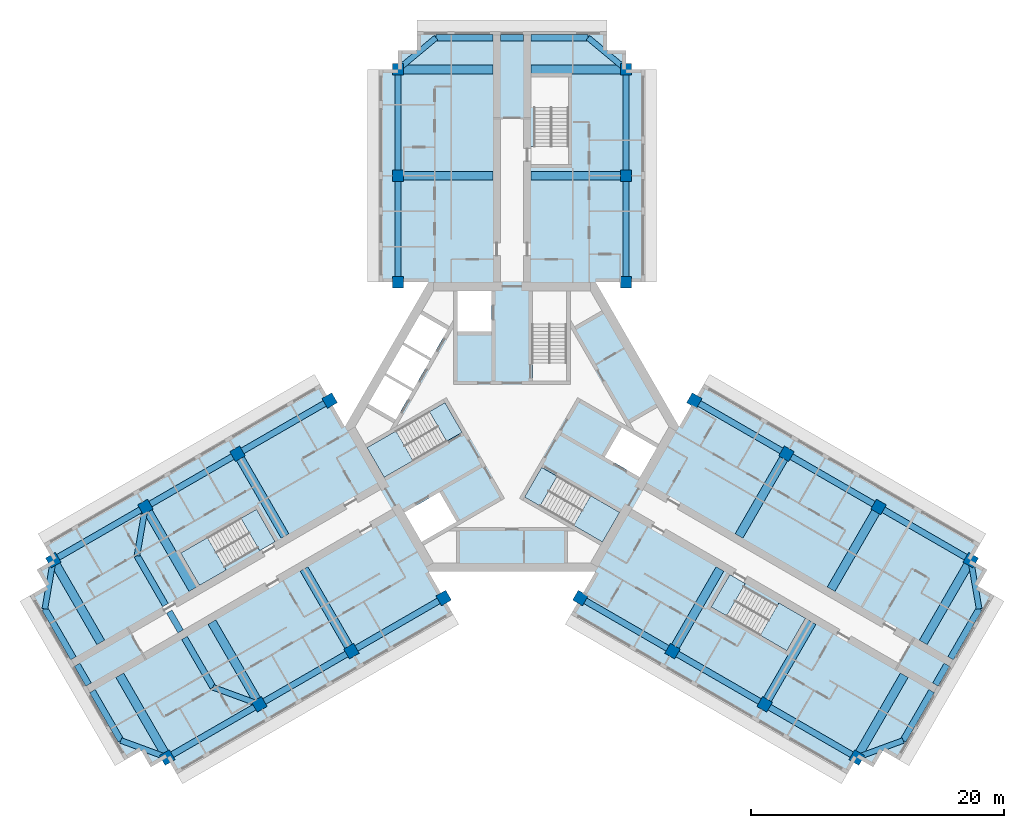
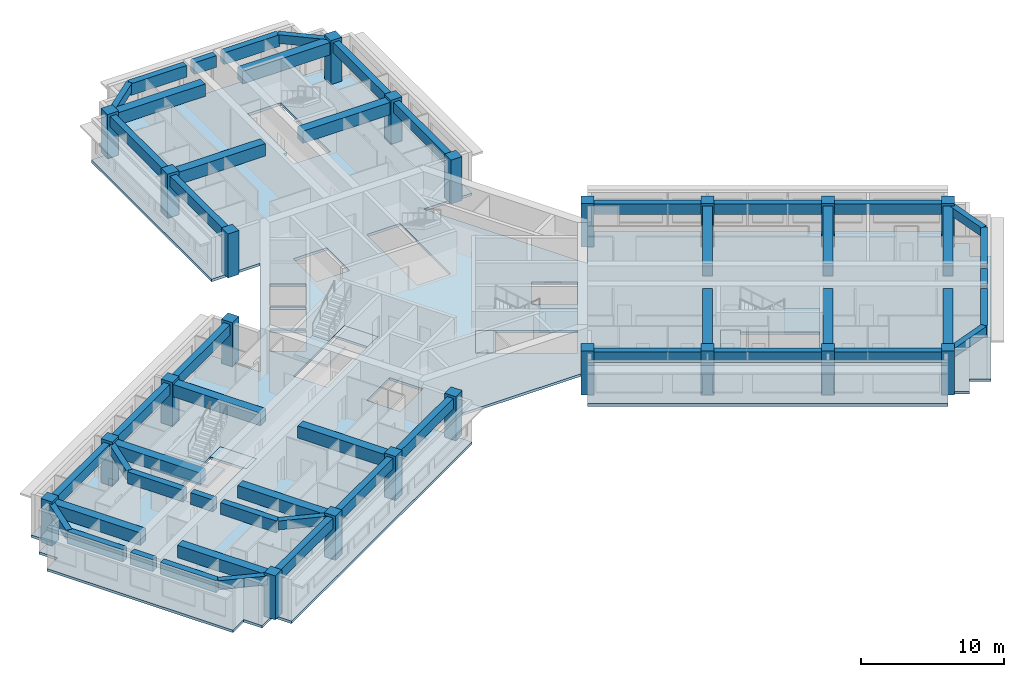
# One storey, part 1 of 12: 52 beams, 22 columns, 9 slabs, 4 elements without a shape of their own.
"""IFC4 building model written with IfcOpenShell, lengths in metres."""

from ifc_helpers import new_model, si_unit, direction, frame, origin, origin_2d, place, context, subcontext, project, spatial, polyline, rectangle, outline, extrude, material, layer, layer_set, material_profile, profile_set, type_object, element, aggregate, save


model = new_model("IFC4")

# Units and contexts
model_context = context("Model", 3, precision=1e-05, world=origin(), true_north=direction((0.0, 1.0)))
body_context = subcontext(model_context, "Body", "Model", "MODEL_VIEW")
ifc_project = project(units=[si_unit("LENGTHUNIT", "METRE"), si_unit("AREAUNIT", "SQUARE_METRE"), si_unit("VOLUMEUNIT", "CUBIC_METRE"), si_unit("PLANEANGLEUNIT", "RADIAN"), si_unit("MASSUNIT", "GRAM", prefix="KILO")], contexts=[model_context])

# Site, building, storey
site_placement = place(None, origin())
site = spatial("IfcSite", under=ifc_project, at=site_placement, CompositionType="ELEMENT")
building_placement = place(site_placement, origin())
building = spatial("IfcBuilding", under=site, at=building_placement, Name="Impinga Residences", CompositionType="ELEMENT")
storey_placement = place(building_placement, frame((0.0, 0.0, 214.75)))
storey = spatial("IfcBuildingStorey", under=building, at=storey_placement, Name="L53", CompositionType="ELEMENT", Elevation=214.75)

# Columns
ifc_material_1 = material(Name="Concrete C60/75", Category="concrete")
ifc_material_profile_1 = material_profile(ifc_material_1, rectangle(XDim=0.89990234375, YDim=0.89990234375, at=origin_2d()), Name="RC 900x900")
ifc_profile_set_1 = profile_set([ifc_material_profile_1], Name="Concrete C60/75")
column_type = type_object("IfcColumnType", Name="C4 900x900 column", PredefinedType="COLUMN", material=ifc_profile_set_1)
for number, where, z_axis, x_axis, name in (
    (1, (-9.0, 11.431640625, 0.0), (0.0, 0.0, 1.0), (1.0, 0.0, 0.0), "Column C4 N1/NA L53"),
    (2, (9.0, 11.431640625, 0.0), (0.0, 0.0, 1.0), (1.0, 0.0, 0.0), "Column C4 N1/NF L53"),
    (3, (-9.0, 19.83154296875, 0.0), (0.0, 0.0, 1.0), (1.0, 0.0, 0.0), "Column C4 N2/NA L53"),
    (4, (9.0, 19.83154296875, 0.0), (0.0, 0.0, 1.0), (1.0, 0.0, 0.0), "Column C4 N2/NF L53"),
    (5, (-9.0, 28.2314453125, 0.0), (0.0, 0.0, 1.0), (1.0, 0.0, 0.0), "Column C4 N3/NA L53"),
    (6, (9.0, 28.2314453125, 0.0), (0.0, 0.0, 1.0), (1.0, 0.0, 0.0), "Column C4 N3/NF L53"),
    (7, (-5.39990234375, -13.510009765625, 0.0), (0.0, 0.0, 1.0), (-0.5, 0.866025403784, 0.0), "Column C4 W1/WA L53"),
    (8, (-14.39990234375, 2.078369140625, 0.0), (0.0, 0.0, 1.0), (-0.5, 0.866025403784, 0.0), "Column C4 W1/WF L53"),
    (9, (-12.674560546875, -17.7099609375, 0.0), (0.0, 0.0, 1.0), (-0.5, 0.866025403784, 0.0), "Column C4 W2/WA L53"),
    (10, (-21.674560546875, -2.12158203125, 0.0), (0.0, 0.0, 1.0), (-0.5, 0.866025403784, 0.0), "Column C4 W2/WF L53"),
    (11, (-19.94921875, -21.909912109375, 0.0), (0.0, 0.0, 1.0), (-0.5, 0.866025403784, 0.0), "Column C4 W3/WA L53"),
    (12, (-28.94921875, -6.321533203125, 0.0), (0.0, 0.0, 1.0), (-0.5, 0.866025403784, 0.0), "Column C4 W3/WF L53"),
    (13, (-27.223876953125, -26.110107421875, 0.0), (0.0, 0.0, 1.0), (-0.5, 0.866025403784, 0.0), "Column C4 W4/WA L53"),
    (14, (-36.223876953125, -10.521484375, 0.0), (0.0, 0.0, 1.0), (-0.5, 0.866025403784, 0.0), "Column C4 W4/WF L53"),
    (15, (14.39990234375, 2.078369140625, 0.0), (0.0, 0.0, 1.0), (-0.5, -0.866025403784, 0.0), "Column C4 E1/EA L53"),
    (16, (5.39990234375, -13.510009765625, 0.0), (0.0, 0.0, 1.0), (-0.5, -0.866025403784, 0.0), "Column C4 E1/EF L53"),
    (17, (21.674560546875, -2.12158203125, 0.0), (0.0, 0.0, 1.0), (-0.5, -0.866025403784, 0.0), "Column C4 E2/EA L53"),
    (18, (12.674560546875, -17.7099609375, 0.0), (0.0, 0.0, 1.0), (-0.5, -0.866025403784, 0.0), "Column C4 E2/EF L53"),
    (19, (28.94921875, -6.321533203125, 0.0), (0.0, 0.0, 1.0), (-0.5, -0.866025403784, 0.0), "Column C4 E3/EA L53"),
    (20, (19.94921875, -21.909912109375, 0.0), (0.0, 0.0, 1.0), (-0.5, -0.866025403784, 0.0), "Column C4 E3/EF L53"),
    (21, (36.223876953125, -10.521484375, 0.0), (0.0, 0.0, 1.0), (-0.5, -0.866025403784, 0.0), "Column C4 E4/EA L53"),
    (22, (27.223876953125, -26.110107421875, 0.0), (0.0, 0.0, 1.0), (-0.5, -0.866025403784, 0.0), "Column C4 E4/EF L53"),
):
    element("IfcColumn", number, at=place(storey_placement, frame(where, z_axis=z_axis, x_axis=x_axis)), inside=storey, type_object=column_type, Name=name, PredefinedType="COLUMN", context=body_context, shape_type="SweptSolid", body=[
        extrude(rectangle(XDim=0.89990234375, YDim=0.89990234375, at=origin_2d()), origin(), (0.0, 0.0, 1.0), 3.75),
    ])

# Beams
ifc_material_profile_2 = material_profile(ifc_material_1, rectangle(XDim=0.449951171875, YDim=0.75, at=origin_2d()), Name="RC 450x750")
ifc_profile_set_2 = profile_set([ifc_material_profile_2], Name="Concrete C60/75")
beam_type_1 = type_object("IfcBeamType", Name="CB1 450x750 wing end cantilever beam", PredefinedType="BEAM", material=ifc_profile_set_2)
for number, where, z_axis, x_axis, name in (
    (23, (-9.0, 28.2314453125, 3.155029296875), (0.768221279597, 0.640184399664, 0.0), (-0.640184399664, 0.768221279597, 0.0), "Beam CB1 NB N3-NX level L54"),
    (24, (9.0, 28.2314453125, 3.155029296875), (-0.768221279597, 0.640184399664, 0.0), (-0.640184399664, -0.768221279597, 0.0), "Beam CB1 NE N3-NX level L54"),
    (25, (-19.94921875, -21.909912109375, 3.155029296875), (-0.93854043338, 0.345169313396, 0.0), (-0.345169313396, -0.93854043338, 0.0), "Beam CB1 WB W3-WX level L54"),
):
    element("IfcBeam", number, at=place(storey_placement, frame(where, z_axis=z_axis, x_axis=x_axis)), inside=storey, type_object=beam_type_1, Name=name, PredefinedType="BEAM", context=body_context, shape_type="SweptSolid", body=[
        extrude(rectangle(XDim=0.449951171875, YDim=0.75, at=origin_2d()), origin(), (0.0, 0.0, 1.0), 3.905029296875),
    ])
beam_1_placement = place(storey_placement, frame((-28.94921875, -6.321533203125, 3.155029296875), z_axis=(-0.170296298948, -0.985392901621, 0.0), x_axis=(0.985392901621, -0.170296298948, 0.0)))
element("IfcBeam", 26, at=beam_1_placement, inside=storey, type_object=beam_type_1, Name="Beam CB1 WE W3-WX level L54", PredefinedType="BEAM", context=body_context, shape_type="SweptSolid", body=[
    extrude(rectangle(XDim=0.449951171875, YDim=0.75, at=origin_2d()), origin(), (0.0, 0.0, 1.0), 3.9052734375),
])
beam_2_placement = place(storey_placement, frame((-27.223876953125, -26.110107421875, 3.155029296875), z_axis=(-0.938520178725, 0.345224382289, 0.0), x_axis=(-0.345224382289, -0.938520178725, 0.0)))
element("IfcBeam", 27, at=beam_2_placement, inside=storey, type_object=beam_type_1, Name="Beam CB1 WB W4-WX level L54", PredefinedType="BEAM", context=body_context, shape_type="SweptSolid", body=[
    extrude(rectangle(XDim=0.449951171875, YDim=0.75, at=origin_2d()), origin(), (0.0, 0.0, 1.0), 3.905029296875),
])
for number, where, z_axis, x_axis, name in (
    (28, (-36.223876953125, -10.521484375, 3.155029296875), (-0.170296298948, -0.985392901621, 0.0), (0.985392901621, -0.170296298948, 0.0), "Beam CB1 WE W4-WX level L54"),
    (29, (36.223876953125, -10.521484375, 3.155029296875), (0.170296298948, -0.985392901621, 0.0), (0.985392901621, 0.170296298948, 0.0), "Beam CB1 EB E4-EX level L54"),
):
    element("IfcBeam", number, at=place(storey_placement, frame(where, z_axis=z_axis, x_axis=x_axis)), inside=storey, type_object=beam_type_1, Name=name, PredefinedType="BEAM", context=body_context, shape_type="SweptSolid", body=[
        extrude(rectangle(XDim=0.449951171875, YDim=0.75, at=origin_2d()), origin(), (0.0, 0.0, 1.0), 3.9052734375),
    ])
beam_3_placement = place(storey_placement, frame((27.223876953125, -26.110107421875, 3.155029296875), z_axis=(0.938520178725, 0.345224382289, 0.0), x_axis=(-0.345224382289, 0.938520178725, 0.0)))
element("IfcBeam", 30, at=beam_3_placement, inside=storey, type_object=beam_type_1, Name="Beam CB1 EE E4-EX level L54", PredefinedType="BEAM", context=body_context, shape_type="SweptSolid", body=[
    extrude(rectangle(XDim=0.449951171875, YDim=0.75, at=origin_2d()), origin(), (0.0, 0.0, 1.0), 3.905029296875),
])
ifc_material_profile_3 = material_profile(ifc_material_1, rectangle(XDim=0.699951171875, YDim=1.050048828125, at=origin_2d()), Name="RC 700x1050")
ifc_profile_set_3 = profile_set([ifc_material_profile_3], Name="Concrete C60/75")
beam_type_2 = type_object("IfcBeamType", Name="CG1 700x1050 cross girder on a wing bay line", PredefinedType="BEAM", material=ifc_profile_set_3)
for number, where, z_axis, x_axis, name in (
    (31, (-1.5, 19.83154296875, 3.0048828125), (-1.0, 0.0, 0.0), (0.0, -1.0, 0.0), "Beam CG1 N2 NC/NA level L54"),
    (32, (-1.5, 28.2314453125, 3.0048828125), (-1.0, 0.0, 0.0), (0.0, -1.0, 0.0), "Beam CG1 N3 NC/NA level L54"),
    (33, (1.5, 19.83154296875, 3.0048828125), (1.0, 0.0, 0.0), (0.0, 1.0, 0.0), "Beam CG1 N2 NC/NF level L54"),
    (34, (1.5, 28.2314453125, 3.0048828125), (1.0, 0.0, 0.0), (0.0, 1.0, 0.0), "Beam CG1 N3 NC/NF level L54"),
    (35, (-16.424560546875, -11.21484375, 3.0048828125), (0.500004234368, -0.866022959057, 0.0), (0.866022959057, 0.500004234368, 0.0), "Beam CG1 W2 WC/WA level L54"),
    (36, (-23.69921875, -15.414794921875, 3.0048828125), (0.500004234368, -0.866022959057, 0.0), (0.866022959057, 0.500004234368, 0.0), "Beam CG1 W3 WC/WA level L54"),
):
    element("IfcBeam", number, at=place(storey_placement, frame(where, z_axis=z_axis, x_axis=x_axis)), inside=storey, type_object=beam_type_2, Name=name, PredefinedType="BEAM", context=body_context, shape_type="SweptSolid", body=[
        extrude(rectangle(XDim=0.699951171875, YDim=1.050048828125, at=origin_2d()), origin(), (0.0, 0.0, 1.0), 7.5),
    ])
beam_4_placement = place(storey_placement, frame((-30.973876953125, -19.61474609375, 3.0048828125), z_axis=(0.499990139034, -0.866031096941, 0.0), x_axis=(0.866031096941, 0.499990139034, 0.0)))
element("IfcBeam", 37, at=beam_4_placement, inside=storey, type_object=beam_type_2, Name="Beam CG1 W4 WC/WA level L54", PredefinedType="BEAM", context=body_context, shape_type="SweptSolid", body=[
    extrude(rectangle(XDim=0.699951171875, YDim=1.050048828125, at=origin_2d()), origin(), (0.0, 0.0, 1.0), 7.500244140625),
])
for number, where, z_axis, x_axis, name in (
    (38, (-17.924560546875, -8.61669921875, 3.0048828125), (-0.500004234368, 0.866022959057, 0.0), (-0.866022959057, -0.500004234368, 0.0), "Beam CG1 W2 WC/WF level L54"),
    (39, (-25.19921875, -12.816650390625, 3.0048828125), (-0.500004234368, 0.866022959057, 0.0), (-0.866022959057, -0.500004234368, 0.0), "Beam CG1 W3 WC/WF level L54"),
):
    element("IfcBeam", number, at=place(storey_placement, frame(where, z_axis=z_axis, x_axis=x_axis)), inside=storey, type_object=beam_type_2, Name=name, PredefinedType="BEAM", context=body_context, shape_type="SweptSolid", body=[
        extrude(rectangle(XDim=0.699951171875, YDim=1.050048828125, at=origin_2d()), origin(), (0.0, 0.0, 1.0), 7.5),
    ])
beam_5_placement = place(storey_placement, frame((-32.473876953125, -17.016845703125, 3.0048828125), z_axis=(-0.499990139034, 0.866031096941, 0.0), x_axis=(-0.866031096941, -0.499990139034, 0.0)))
element("IfcBeam", 40, at=beam_5_placement, inside=storey, type_object=beam_type_2, Name="Beam CG1 W4 WC/WF level L54", PredefinedType="BEAM", context=body_context, shape_type="SweptSolid", body=[
    extrude(rectangle(XDim=0.699951171875, YDim=1.050048828125, at=origin_2d()), origin(), (0.0, 0.0, 1.0), 7.500244140625),
])
for number, where, z_axis, x_axis, name in (
    (41, (17.924560546875, -8.61669921875, 3.0048828125), (0.500004234368, 0.866022959057, 0.0), (-0.866022959057, 0.500004234368, 0.0), "Beam CG1 E2 EC/EA level L54"),
    (42, (25.19921875, -12.816650390625, 3.0048828125), (0.500004234368, 0.866022959057, 0.0), (-0.866022959057, 0.500004234368, 0.0), "Beam CG1 E3 EC/EA level L54"),
):
    element("IfcBeam", number, at=place(storey_placement, frame(where, z_axis=z_axis, x_axis=x_axis)), inside=storey, type_object=beam_type_2, Name=name, PredefinedType="BEAM", context=body_context, shape_type="SweptSolid", body=[
        extrude(rectangle(XDim=0.699951171875, YDim=1.050048828125, at=origin_2d()), origin(), (0.0, 0.0, 1.0), 7.5),
    ])
beam_6_placement = place(storey_placement, frame((32.473876953125, -17.016845703125, 3.0048828125), z_axis=(0.499990139034, 0.866031096941, 0.0), x_axis=(-0.866031096941, 0.499990139034, 0.0)))
element("IfcBeam", 43, at=beam_6_placement, inside=storey, type_object=beam_type_2, Name="Beam CG1 E4 EC/EA level L54", PredefinedType="BEAM", context=body_context, shape_type="SweptSolid", body=[
    extrude(rectangle(XDim=0.699951171875, YDim=1.050048828125, at=origin_2d()), origin(), (0.0, 0.0, 1.0), 7.500244140625),
])
for number, where, z_axis, x_axis, name in (
    (44, (16.424560546875, -11.21484375, 3.0048828125), (-0.500004234368, -0.866022959057, 0.0), (0.866022959057, -0.500004234368, 0.0), "Beam CG1 E2 EC/EF level L54"),
    (45, (23.69921875, -15.414794921875, 3.0048828125), (-0.500004234368, -0.866022959057, 0.0), (0.866022959057, -0.500004234368, 0.0), "Beam CG1 E3 EC/EF level L54"),
):
    element("IfcBeam", number, at=place(storey_placement, frame(where, z_axis=z_axis, x_axis=x_axis)), inside=storey, type_object=beam_type_2, Name=name, PredefinedType="BEAM", context=body_context, shape_type="SweptSolid", body=[
        extrude(rectangle(XDim=0.699951171875, YDim=1.050048828125, at=origin_2d()), origin(), (0.0, 0.0, 1.0), 7.5),
    ])
beam_7_placement = place(storey_placement, frame((30.973876953125, -19.61474609375, 3.0048828125), z_axis=(-0.499990139034, -0.866031096941, 0.0), x_axis=(0.866031096941, -0.499990139034, 0.0)))
element("IfcBeam", 46, at=beam_7_placement, inside=storey, type_object=beam_type_2, Name="Beam CG1 E4 EC/EF level L54", PredefinedType="BEAM", context=body_context, shape_type="SweptSolid", body=[
    extrude(rectangle(XDim=0.699951171875, YDim=1.050048828125, at=origin_2d()), origin(), (0.0, 0.0, 1.0), 7.500244140625),
])
ifc_material_profile_4 = material_profile(ifc_material_1, rectangle(XDim=0.5, YDim=1.0, at=origin_2d()), Name="RC 500x1000")
ifc_profile_set_4 = profile_set([ifc_material_profile_4], Name="Concrete C60/75")
beam_type_3 = type_object("IfcBeamType", Name="EB1 500x1000 wing end beam", PredefinedType="BEAM", material=ifc_profile_set_4)
beam_8_placement = place(storey_placement, frame((-6.0, 30.7314453125, 3.030029296875), z_axis=(1.0, 0.0, 0.0), x_axis=(0.0, 1.0, 0.0)))
element("IfcBeam", 47, at=beam_8_placement, inside=storey, type_object=beam_type_3, Name="Beam EB1 NX2 level L54", PredefinedType="BEAM", context=body_context, shape_type="SweptSolid", body=[
    extrude(rectangle(XDim=0.5, YDim=1.0, at=origin_2d()), origin(), (0.0, 0.0, 1.0), 4.5),
])
beam_9_placement = place(storey_placement, frame((-0.89990234375, 30.7314453125, 3.030029296875), z_axis=(1.0, 0.0, 0.0), x_axis=(0.0, 1.0, 0.0)))
element("IfcBeam", 48, at=beam_9_placement, inside=storey, type_object=beam_type_3, Name="Beam EB1 NX2 level L54", PredefinedType="BEAM", context=body_context, shape_type="SweptSolid", body=[
    extrude(rectangle(XDim=0.5, YDim=1.0, at=origin_2d()), origin(), (0.0, 0.0, 1.0), 1.7998046875),
])
for number, where, z_axis, x_axis, name in (
    (49, (1.5, 30.7314453125, 3.030029296875), (1.0, 0.0, 0.0), (0.0, 1.0, 0.0), "Beam EB1 NX2 level L54"),
    (50, (-23.6142578125, -20.56201171875, 3.030029296875), (-0.499990139034, 0.866031096941, 0.0), (-0.866031096941, -0.499990139034, 0.0), "Beam EB1 WX2 level L54"),
):
    element("IfcBeam", number, at=place(storey_placement, frame(where, z_axis=z_axis, x_axis=x_axis)), inside=storey, type_object=beam_type_3, Name=name, PredefinedType="BEAM", context=body_context, shape_type="SweptSolid", body=[
        extrude(rectangle(XDim=0.5, YDim=1.0, at=origin_2d()), origin(), (0.0, 0.0, 1.0), 4.5),
    ])
beam_10_placement = place(storey_placement, frame((-26.164306640625, -16.145263671875, 3.030029296875), z_axis=(-0.499961193289, 0.866047807691, 0.0), x_axis=(-0.866047807691, -0.499961193289, 0.0)))
element("IfcBeam", 51, at=beam_10_placement, inside=storey, type_object=beam_type_3, Name="Beam EB1 WX2 level L54", PredefinedType="BEAM", context=body_context, shape_type="SweptSolid", body=[
    extrude(rectangle(XDim=0.5, YDim=1.0, at=origin_2d()), origin(), (0.0, 0.0, 1.0), 1.800048828125),
])
beam_11_placement = place(storey_placement, frame((-27.3642578125, -14.066650390625, 3.030029296875), z_axis=(-0.500013631625, 0.866017533419, 0.0), x_axis=(-0.866017533419, -0.500013631625, 0.0)))
element("IfcBeam", 52, at=beam_11_placement, inside=storey, type_object=beam_type_3, Name="Beam EB1 WX2 level L54", PredefinedType="BEAM", context=body_context, shape_type="SweptSolid", body=[
    extrude(rectangle(XDim=0.5, YDim=1.0, at=origin_2d()), origin(), (0.0, 0.0, 1.0), 4.499755859375),
])
beam_12_placement = place(storey_placement, frame((-30.888916015625, -24.761962890625, 3.030029296875), z_axis=(-0.499990139034, 0.866031096941, 0.0), x_axis=(-0.866031096941, -0.499990139034, 0.0)))
element("IfcBeam", 53, at=beam_12_placement, inside=storey, type_object=beam_type_3, Name="Beam EB1 WX3 level L54", PredefinedType="BEAM", context=body_context, shape_type="SweptSolid", body=[
    extrude(rectangle(XDim=0.5, YDim=1.0, at=origin_2d()), origin(), (0.0, 0.0, 1.0), 4.5),
])
beam_13_placement = place(storey_placement, frame((-33.43896484375, -20.34521484375, 3.030029296875), z_axis=(-0.499961193289, 0.866047807691, 0.0), x_axis=(-0.866047807691, -0.499961193289, 0.0)))
element("IfcBeam", 54, at=beam_13_placement, inside=storey, type_object=beam_type_3, Name="Beam EB1 WX3 level L54", PredefinedType="BEAM", context=body_context, shape_type="SweptSolid", body=[
    extrude(rectangle(XDim=0.5, YDim=1.0, at=origin_2d()), origin(), (0.0, 0.0, 1.0), 1.800048828125),
])
for number, where, z_axis, x_axis, name in (
    (55, (-34.638916015625, -18.266845703125, 3.030029296875), (-0.499990139034, 0.866031096941, 0.0), (-0.866031096941, -0.499990139034, 0.0), "Beam EB1 WX3 level L54"),
    (56, (36.888916015625, -14.36962890625, 3.030029296875), (-0.499990139034, -0.866031096941, 0.0), (0.866031096941, -0.499990139034, 0.0), "Beam EB1 EX3 level L54"),
):
    element("IfcBeam", number, at=place(storey_placement, frame(where, z_axis=z_axis, x_axis=x_axis)), inside=storey, type_object=beam_type_3, Name=name, PredefinedType="BEAM", context=body_context, shape_type="SweptSolid", body=[
        extrude(rectangle(XDim=0.5, YDim=1.0, at=origin_2d()), origin(), (0.0, 0.0, 1.0), 4.5),
    ])
beam_14_placement = place(storey_placement, frame((34.3388671875, -18.786376953125, 3.030029296875), z_axis=(-0.499961193289, -0.866047807691, 0.0), x_axis=(0.866047807691, -0.499961193289, 0.0)))
element("IfcBeam", 57, at=beam_14_placement, inside=storey, type_object=beam_type_3, Name="Beam EB1 EX3 level L54", PredefinedType="BEAM", context=body_context, shape_type="SweptSolid", body=[
    extrude(rectangle(XDim=0.5, YDim=1.0, at=origin_2d()), origin(), (0.0, 0.0, 1.0), 1.800048828125),
])
beam_15_placement = place(storey_placement, frame((33.138916015625, -20.86474609375, 3.030029296875), z_axis=(-0.499990139034, -0.866031096941, 0.0), x_axis=(0.866031096941, -0.499990139034, 0.0)))
element("IfcBeam", 58, at=beam_15_placement, inside=storey, type_object=beam_type_3, Name="Beam EB1 EX3 level L54", PredefinedType="BEAM", context=body_context, shape_type="SweptSolid", body=[
    extrude(rectangle(XDim=0.5, YDim=1.0, at=origin_2d()), origin(), (0.0, 0.0, 1.0), 4.5),
])
ifc_material_profile_5 = material_profile(ifc_material_1, rectangle(XDim=0.5, YDim=0.89990234375, at=origin_2d()), Name="RC 500x900")
ifc_profile_set_5 = profile_set([ifc_material_profile_5], Name="Concrete C60/75")
beam_type_4 = type_object("IfcBeamType", Name="SB1 500x900 perimeter spandrel beam", PredefinedType="SPANDREL", material=ifc_profile_set_5)
for number, where, z_axis, x_axis, name in (
    (59, (-9.0, 11.431640625, 3.080078125), (0.0, 1.0, 0.0), (-1.0, 0.0, 0.0), "Beam SB1 NA N1-N2 level L54"),
    (60, (-9.0, 19.83154296875, 3.080078125), (0.0, 1.0, 0.0), (-1.0, 0.0, 0.0), "Beam SB1 NA N2-N3 level L54"),
    (61, (9.0, 11.431640625, 3.080078125), (0.0, 1.0, 0.0), (-1.0, 0.0, 0.0), "Beam SB1 NF N1-N2 level L54"),
    (62, (9.0, 19.83154296875, 3.080078125), (0.0, 1.0, 0.0), (-1.0, 0.0, 0.0), "Beam SB1 NF N2-N3 level L54"),
    (63, (-5.39990234375, -13.510009765625, 3.080078125), (-0.86602925447, -0.499993330357, 0.0), (0.499993330357, -0.86602925447, 0.0), "Beam SB1 WA W1-W2 level L54"),
    (64, (-12.674560546875, -17.7099609375, 3.080078125), (-0.86602925447, -0.499993330357, 0.0), (0.499993330357, -0.86602925447, 0.0), "Beam SB1 WA W2-W3 level L54"),
):
    element("IfcBeam", number, at=place(storey_placement, frame(where, z_axis=z_axis, x_axis=x_axis)), inside=storey, type_object=beam_type_4, Name=name, PredefinedType="SPANDREL", context=body_context, shape_type="SweptSolid", body=[
        extrude(rectangle(XDim=0.5, YDim=0.89990234375, at=origin_2d()), origin(), (0.0, 0.0, 1.0), 8.39990234375),
    ])
beam_16_placement = place(storey_placement, frame((-19.94921875, -21.909912109375, 3.080078125), z_axis=(-0.866016669275, -0.500015128309, 0.0), x_axis=(0.500015128309, -0.866016669275, 0.0)))
element("IfcBeam", 65, at=beam_16_placement, inside=storey, type_object=beam_type_4, Name="Beam SB1 WA W3-W4 level L54", PredefinedType="SPANDREL", context=body_context, shape_type="SweptSolid", body=[
    extrude(rectangle(XDim=0.5, YDim=0.89990234375, at=origin_2d()), origin(), (0.0, 0.0, 1.0), 8.400146484375),
])
for number, where, z_axis, x_axis, name in (
    (66, (-14.39990234375, 2.078369140625, 3.080078125), (-0.86602925447, -0.499993330357, 0.0), (0.499993330357, -0.86602925447, 0.0), "Beam SB1 WF W1-W2 level L54"),
    (67, (-21.674560546875, -2.12158203125, 3.080078125), (-0.86602925447, -0.499993330357, 0.0), (0.499993330357, -0.86602925447, 0.0), "Beam SB1 WF W2-W3 level L54"),
    (68, (-28.94921875, -6.321533203125, 3.080078125), (-0.86602925447, -0.499993330357, 0.0), (0.499993330357, -0.86602925447, 0.0), "Beam SB1 WF W3-W4 level L54"),
    (69, (14.39990234375, 2.078369140625, 3.080078125), (0.86602925447, -0.499993330357, 0.0), (0.499993330357, 0.86602925447, 0.0), "Beam SB1 EA E1-E2 level L54"),
    (70, (21.674560546875, -2.12158203125, 3.080078125), (0.86602925447, -0.499993330357, 0.0), (0.499993330357, 0.86602925447, 0.0), "Beam SB1 EA E2-E3 level L54"),
    (71, (28.94921875, -6.321533203125, 3.080078125), (0.86602925447, -0.499993330357, 0.0), (0.499993330357, 0.86602925447, 0.0), "Beam SB1 EA E3-E4 level L54"),
    (72, (5.39990234375, -13.510009765625, 3.080078125), (0.86602925447, -0.499993330357, 0.0), (0.499993330357, 0.86602925447, 0.0), "Beam SB1 EF E1-E2 level L54"),
    (73, (12.674560546875, -17.7099609375, 3.080078125), (0.86602925447, -0.499993330357, 0.0), (0.499993330357, 0.86602925447, 0.0), "Beam SB1 EF E2-E3 level L54"),
):
    element("IfcBeam", number, at=place(storey_placement, frame(where, z_axis=z_axis, x_axis=x_axis)), inside=storey, type_object=beam_type_4, Name=name, PredefinedType="SPANDREL", context=body_context, shape_type="SweptSolid", body=[
        extrude(rectangle(XDim=0.5, YDim=0.89990234375, at=origin_2d()), origin(), (0.0, 0.0, 1.0), 8.39990234375),
    ])
beam_17_placement = place(storey_placement, frame((19.94921875, -21.909912109375, 3.080078125), z_axis=(0.866016669275, -0.500015128309, 0.0), x_axis=(0.500015128309, 0.866016669275, 0.0)))
element("IfcBeam", 74, at=beam_17_placement, inside=storey, type_object=beam_type_4, Name="Beam SB1 EF E3-E4 level L54", PredefinedType="SPANDREL", context=body_context, shape_type="SweptSolid", body=[
    extrude(rectangle(XDim=0.5, YDim=0.89990234375, at=origin_2d()), origin(), (0.0, 0.0, 1.0), 8.400146484375),
])

# Slab
ifc_layer_1 = layer(ifc_material_1, 0.219970703125)
ifc_layer_set_1 = layer_set([ifc_layer_1], Name="Concrete C60/75")
slab_type_1 = type_object("IfcSlabType", Name="FS1 tower floor slab 220", PredefinedType="FLOOR", material=ifc_layer_set_1)
slab_1_placement = place(storey_placement, frame((0.0, 0.0, -0.219970703125)))
element("IfcSlab", 75, at=slab_1_placement, inside=storey, type_object=slab_type_1, Name="Floor slab FS1 L53", PredefinedType="FLOOR", context=body_context, shape_type="SweptSolid", body=[
    extrude(outline(polyline([(-27.223876953125, -26.110107421875), (-28.52294921875, -26.860107421875), (-29.27294921875, -25.56103515625), (-30.572021484375, -26.31103515625), (-38.072021484375, -13.320556640625), (-36.77294921875, -12.570556640625), (-37.52294921875, -11.271484375), (-36.223876953125, -10.521484375), (-36.973876953125, -9.222412109375), (-15.14990234375, 3.37744140625), (-13.199951171875, 0.0), (-6.60009765625, 11.431640625), (-10.5, 11.431640625), (-10.5, 28.2314453125), (-9.0, 28.2314453125), (-9.0, 29.7314453125), (-7.5, 29.7314453125), (-7.5, 31.2314453125), (7.5, 31.2314453125), (7.5, 29.7314453125), (9.0, 29.7314453125), (9.0, 28.2314453125), (10.5, 28.2314453125), (10.5, 11.431640625), (6.60009765625, 11.431640625), (13.199951171875, 0.0), (15.14990234375, 3.37744140625), (36.973876953125, -9.222412109375), (36.223876953125, -10.521484375), (37.52294921875, -11.271484375), (36.77294921875, -12.570556640625), (38.072021484375, -13.320556640625), (30.572021484375, -26.31103515625), (29.27294921875, -25.56103515625), (28.52294921875, -26.860107421875), (27.223876953125, -26.110107421875), (26.473876953125, -27.408935546875), (4.64990234375, -14.80908203125), (9.900146484375, -5.7158203125), (6.60009765625, -11.431640625), (-6.60009765625, -11.431640625), (-9.900146484375, -5.7158203125), (-4.64990234375, -14.80908203125), (-26.473876953125, -27.408935546875), (-27.223876953125, -26.110107421875)]), holes=[polyline([(-18.7041015625, -9.066650390625), (-18.8291015625, -8.850341796875), (-18.8291015625, -8.850341796875), (-20.178955078125, -6.511962890625), (-21.391357421875, -7.2119140625), (-21.391357421875, -7.2119140625), (-26.154541015625, -9.9619140625), (-24.8046875, -12.30029296875), (-20.04150390625, -9.55029296875), (-19.91650390625, -9.766845703125), (-18.7041015625, -9.066650390625)]), polyline([(-5.72119140625, -5.150634765625), (-8.493896484375, -6.75146484375), (-7.143798828125, -9.089599609375), (-4.37109375, -7.489013671875), (-5.72119140625, -5.150634765625)]), polyline([(-5.293701171875, 1.908935546875), (-11.44384765625, -1.641845703125), (-10.09375, -3.980224609375), (-3.943603515625, -0.429443359375), (-5.293701171875, 1.908935546875)]), polyline([(-7.878662109375, 2.816650390625), (-10.043701171875, 4.066650390625), (-11.34375, 1.81494140625), (-9.1787109375, 0.56494140625), (-7.878662109375, 2.816650390625)]), polyline([(-6.478759765625, 5.24169921875), (-8.643798828125, 6.49169921875), (-9.94384765625, 4.239990234375), (-7.77880859375, 2.989990234375), (-6.478759765625, 5.24169921875)]), polyline([(-6.378662109375, 5.414794921875), (-5.07861328125, 7.66650390625), (-7.243896484375, 8.91650390625), (-8.543701171875, 6.664794921875), (-6.378662109375, 5.414794921875)]), polyline([(-4.300048828125, 7.530029296875), (-1.60009765625, 7.530029296875), (-1.60009765625, 10.7314453125), (-4.300048828125, 10.7314453125), (-4.300048828125, 7.530029296875)]), polyline([(15.72900390625, -14.219482421875), (21.70458984375, -17.669677734375), (23.0546875, -15.331298828125), (18.29150390625, -12.581298828125), (18.41650390625, -12.36474609375), (17.2041015625, -11.664794921875), (15.72900390625, -14.219482421875)]), polyline([(0.99365234375, -5.538818359375), (7.143798828125, -9.089599609375), (8.493896484375, -6.75146484375), (2.34375, -3.20068359375), (0.99365234375, -5.538818359375)]), polyline([(7.3212890625, -2.37939453125), (10.09375, -3.980224609375), (11.44384765625, -1.641845703125), (8.671142578125, -0.041015625), (7.3212890625, -2.37939453125)]), polyline([(4.300048828125, 3.6298828125), (4.300048828125, 10.7314453125), (1.60009765625, 10.7314453125), (1.60009765625, 3.6298828125), (4.300048828125, 3.6298828125)]), polyline([(1.75, 22.131591796875), (1.5, 22.131591796875), (1.5, 20.7314453125), (1.75, 20.7314453125), (4.449951171875, 20.7314453125), (4.449951171875, 22.131591796875), (4.449951171875, 27.631591796875), (1.75, 27.631591796875), (1.75, 22.131591796875)])]), origin(), (0.0, 0.0, 1.0), 0.219970703125),
])

# Stair, slabs
ifc_material_2 = material(Name="Concrete C40/50", Category="concrete")
stair_type_1 = type_object("IfcStairType", Name="STR core stair 3750 storey, 24 risers", PredefinedType="HALF_TURN_STAIR", material=ifc_material_2)
stair_1_placement = place(storey_placement, origin())
stair_1 = element("IfcStair", 76, at=stair_1_placement, inside=storey, type_object=stair_type_1, Name="Stair ST2 L53", PredefinedType="HALF_TURN_STAIR")
ifc_layer_2 = layer(ifc_material_2, 0.199951171875)
ifc_layer_set_2 = layer_set([ifc_layer_2], Name="Concrete C40/50")
slab_type_2 = type_object("IfcSlabType", Name="LS1 stair landing 200", PredefinedType="LANDING", material=ifc_layer_set_2)
slab_2_placement = place(storey_placement, frame((0.0, 0.0, -0.199951171875)))
slab_2 = element("IfcSlab", 77, at=slab_2_placement, type_object=slab_type_2, Name="ST2 landing 1", PredefinedType="LANDING", context=body_context, shape_type="SweptSolid", body=[
    extrude(outline(polyline([(-3.943603515625, -0.429443359375), (-5.293701171875, 1.908935546875), (-6.5146484375, 1.203857421875), (-5.164794921875, -1.13427734375), (-3.943603515625, -0.429443359375)])), origin(), (0.0, 0.0, 1.0), 0.199951171875),
])
slab_3_placement = place(storey_placement, frame((0.0, 0.0, 1.675048828125)))
slab_3 = element("IfcSlab", 78, at=slab_3_placement, type_object=slab_type_2, Name="ST2 landing 2", PredefinedType="LANDING", context=body_context, shape_type="SweptSolid", body=[
    extrude(outline(polyline([(-7.814697265625, -2.664306640625), (-9.164794921875, -0.326171875), (-11.44384765625, -1.641845703125), (-10.09375, -3.980224609375), (-7.814697265625, -2.664306640625)])), origin(), (0.0, 0.0, 1.0), 0.199951171875),
])
aggregate(stair_1, [slab_2, slab_3])

stair_2_placement = place(storey_placement, origin())
stair_2 = element("IfcStair", 79, at=stair_2_placement, inside=storey, type_object=stair_type_1, Name="Stair ST3 L53", PredefinedType="HALF_TURN_STAIR")
slab_4_placement = place(storey_placement, frame((0.0, 0.0, -0.199951171875)))
slab_4 = element("IfcSlab", 80, at=slab_4_placement, type_object=slab_type_2, Name="ST3 landing 1", PredefinedType="LANDING", context=body_context, shape_type="SweptSolid", body=[
    extrude(outline(polyline([(2.34375, -3.20068359375), (0.99365234375, -5.538818359375), (2.21484375, -6.243896484375), (3.564697265625, -3.90576171875), (2.34375, -3.20068359375)])), origin(), (0.0, 0.0, 1.0), 0.199951171875),
])
slab_5_placement = place(storey_placement, frame((0.0, 0.0, 1.675048828125)))
slab_5 = element("IfcSlab", 81, at=slab_5_placement, type_object=slab_type_2, Name="ST3 landing 2", PredefinedType="LANDING", context=body_context, shape_type="SweptSolid", body=[
    extrude(outline(polyline([(6.21484375, -5.435546875), (4.86474609375, -7.77392578125), (7.143798828125, -9.089599609375), (8.493896484375, -6.75146484375), (6.21484375, -5.435546875)])), origin(), (0.0, 0.0, 1.0), 0.199951171875),
])
aggregate(stair_2, [slab_4, slab_5])

stair_type_2 = type_object("IfcStairType", Name="STR wing stair 3750 storey, 24 risers", PredefinedType="HALF_TURN_STAIR", material=ifc_material_2)
stair_3_placement = place(storey_placement, origin())
stair_3 = element("IfcStair", 82, at=stair_3_placement, inside=storey, type_object=stair_type_2, Name="Stair WS2 L53", PredefinedType="HALF_TURN_STAIR")
slab_6_placement = place(storey_placement, frame((0.0, 0.0, -0.199951171875)))
slab_6 = element("IfcSlab", 83, at=slab_6_placement, type_object=slab_type_2, Name="WS2 landing 1", PredefinedType="LANDING", context=body_context, shape_type="SweptSolid", body=[
    extrude(outline(polyline([(-18.7041015625, -9.066650390625), (-20.178955078125, -6.511962890625), (-21.400146484375, -7.217041015625), (-19.925048828125, -9.771728515625), (-18.7041015625, -9.066650390625)])), origin(), (0.0, 0.0, 1.0), 0.199951171875),
])
slab_7_placement = place(storey_placement, frame((0.0, 0.0, 1.675048828125)))
slab_7 = element("IfcSlab", 84, at=slab_7_placement, type_object=slab_type_2, Name="WS2 landing 2", PredefinedType="LANDING", context=body_context, shape_type="SweptSolid", body=[
    extrude(outline(polyline([(-22.5751953125, -11.3017578125), (-24.050048828125, -8.7470703125), (-26.154541015625, -9.9619140625), (-24.6796875, -12.516845703125), (-22.5751953125, -11.3017578125)])), origin(), (0.0, 0.0, 1.0), 0.199951171875),
])
aggregate(stair_3, [slab_6, slab_7])

stair_4_placement = place(storey_placement, origin())
stair_4 = element("IfcStair", 85, at=stair_4_placement, inside=storey, type_object=stair_type_2, Name="Stair WS3 L53", PredefinedType="HALF_TURN_STAIR")
slab_8_placement = place(storey_placement, frame((0.0, 0.0, -0.199951171875)))
slab_8 = element("IfcSlab", 86, at=slab_8_placement, type_object=slab_type_2, Name="WS3 landing 1", PredefinedType="LANDING", context=body_context, shape_type="SweptSolid", body=[
    extrude(outline(polyline([(17.2041015625, -11.664794921875), (15.72900390625, -14.219482421875), (16.9501953125, -14.924560546875), (18.425048828125, -12.369873046875), (17.2041015625, -11.664794921875)])), origin(), (0.0, 0.0, 1.0), 0.199951171875),
])
slab_9_placement = place(storey_placement, frame((0.0, 0.0, 1.675048828125)))
slab_9 = element("IfcSlab", 87, at=slab_9_placement, type_object=slab_type_2, Name="WS3 landing 2", PredefinedType="LANDING", context=body_context, shape_type="SweptSolid", body=[
    extrude(outline(polyline([(21.0751953125, -13.89990234375), (19.60009765625, -16.45458984375), (21.70458984375, -17.669677734375), (23.1796875, -15.11474609375), (21.0751953125, -13.89990234375)])), origin(), (0.0, 0.0, 1.0), 0.199951171875),
])
aggregate(stair_4, [slab_8, slab_9])

save(model, "model.ifc")
